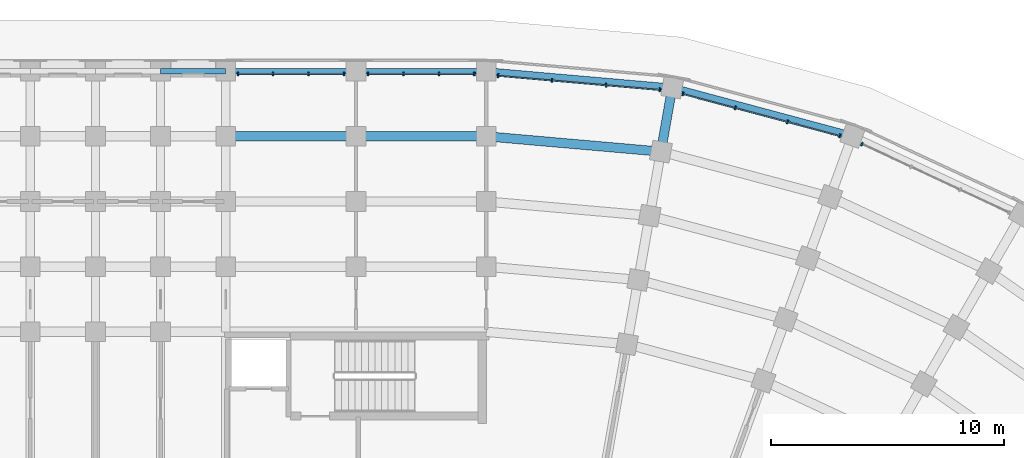
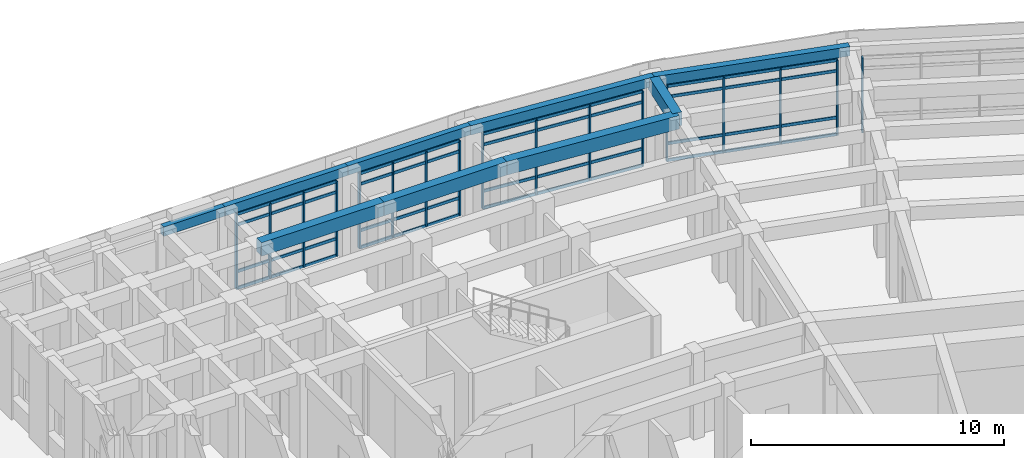
# One storey, part 56 of 135: 33 members, 9 beams, 5 elements without a shape of their own.
"""IFC4 building model written with IfcOpenShell, lengths in metres."""

from ifc_helpers import new_model, si_unit, direction, frame, origin, origin_2d, place, context, subcontext, project, spatial, rectangle, extrude, material, material_profile, profile_set, type_object, element, aggregate, save


model = new_model("IFC4")

# Units and contexts
model_context = context("Model", 3, precision=1e-05, world=origin(), true_north=direction((0.0, 1.0)))
body_context = subcontext(model_context, "Body", "Model", "MODEL_VIEW")
ifc_project = project(units=[si_unit("LENGTHUNIT", "METRE"), si_unit("AREAUNIT", "SQUARE_METRE"), si_unit("VOLUMEUNIT", "CUBIC_METRE"), si_unit("PLANEANGLEUNIT", "RADIAN"), si_unit("MASSUNIT", "GRAM", prefix="KILO")], contexts=[model_context])

# Site, building, storey
site_placement = place(None, origin())
site = spatial("IfcSite", under=ifc_project, at=site_placement, CompositionType="ELEMENT")
building_placement = place(site_placement, origin())
building = spatial("IfcBuilding", under=site, at=building_placement, Name="Kiranvali Square Residences", CompositionType="ELEMENT")
storey_placement = place(building_placement, origin())
storey = spatial("IfcBuildingStorey", under=building, at=storey_placement, Name="L00", CompositionType="ELEMENT", Elevation=0.0)

# Beams
ifc_material_1 = material(Name="Concrete M45 (45 MPa)", Category="concrete")
ifc_material_profile_1 = material_profile(ifc_material_1, rectangle(XDim=0.39990234375, YDim=0.64990234375, at=origin_2d()), Name="RC 400x650")
ifc_profile_set_1 = profile_set([ifc_material_profile_1], Name="Concrete M45 (45 MPa)")
beam_type_1 = type_object("IfcBeamType", Name="BM-M45-400x650", PredefinedType="BEAM", material=ifc_profile_set_1)
beam_1_placement = place(storey_placement, frame((119.800048828125, 131.0, 3.824951171875), z_axis=(0.996195195417, -0.087150058103, 0.0), x_axis=(0.087150058103, 0.996195195417, 0.0)))
element("IfcBeam", 1, at=beam_1_placement, inside=storey, type_object=beam_type_1, Name="L00 beam BM-B-L00-C00-R6", PredefinedType="BEAM", context=body_context, shape_type="SweptSolid", body=[
    extrude(rectangle(XDim=0.39990234375, YDim=0.64990234375, at=origin_2d()), origin(), (0.0, 0.0, 1.0), 7.530029296875),
])
beam_2_placement = place(storey_placement, frame((127.301513671875, 130.34375, 3.824951171875), z_axis=(0.173695795656, 0.984799355489, 0.0), x_axis=(-0.984799355489, 0.173695795656, 0.0)))
element("IfcBeam", 2, at=beam_2_placement, inside=storey, type_object=beam_type_1, Name="L00 beam BM-B-L00-RAD01-67", PredefinedType="BEAM", context=body_context, shape_type="SweptSolid", body=[
    extrude(rectangle(XDim=0.39990234375, YDim=0.64990234375, at=origin_2d()), origin(), (0.0, 0.0, 1.0), 2.7998046875),
])
beam_3_placement = place(storey_placement, frame((119.800048828125, 131.0, 3.824951171875), z_axis=(-1.0, 0.0, 0.0), x_axis=(0.0, -1.0, 0.0)))
element("IfcBeam", 3, at=beam_3_placement, inside=storey, type_object=beam_type_1, Name="L00 beam BM-B-L00-A1U0-R6", PredefinedType="BEAM", context=body_context, shape_type="SweptSolid", body=[
    extrude(rectangle(XDim=0.39990234375, YDim=0.64990234375, at=origin_2d()), origin(), (0.0, 0.0, 1.0), 5.60009765625),
])
beam_4_placement = place(storey_placement, frame((114.199951171875, 131.0, 3.824951171875), z_axis=(-1.0, 0.0, 0.0), x_axis=(0.0, -1.0, 0.0)))
element("IfcBeam", 4, at=beam_4_placement, inside=storey, type_object=beam_type_1, Name="L00 beam BM-B-L00-A1U1-R6", PredefinedType="BEAM", context=body_context, shape_type="SweptSolid", body=[
    extrude(rectangle(XDim=0.39990234375, YDim=0.64990234375, at=origin_2d()), origin(), (0.0, 0.0, 1.0), 5.599853515625),
])

# Curtain wall, members
ifc_material_2 = material(Name="Anodised bronze aluminium framing", Category="aluminium")
curtain_wall_type = type_object("IfcCurtainWallType", Name="CW-RET-SHOP", PredefinedType="USERDEFINED", material=ifc_material_2)
curtain_wall_1_placement = place(storey_placement, origin())
curtain_wall_1 = element("IfcCurtainWall", 5, at=curtain_wall_1_placement, inside=storey, type_object=curtain_wall_type, Name="Block B L00 rounded-corner arcade curtain wall 1", ObjectType="CURTAIN WALL", PredefinedType="USERDEFINED")
ifc_material_profile_2 = material_profile(ifc_material_2, rectangle(XDim=0.06494140625, YDim=0.159912109375, at=origin_2d()), Name="ALU 65x160")
ifc_profile_set_2 = profile_set([ifc_material_profile_2], Name="Anodised bronze aluminium framing")
member_type_1 = type_object("IfcMemberType", Name="CW-MUL-160", PredefinedType="MULLION", material=ifc_profile_set_2)
member_1_placement = place(storey_placement, frame((120.304931640625, 133.605224609375, 0.02001953125), z_axis=(0.0, 0.0, 1.0), x_axis=(0.996194698092, -0.087155742748, 0.0)))
member_1 = element("IfcMember", 6, at=member_1_placement, type_object=member_type_1, Name="CW-B-L00-CRV-00 vertical mullion 1", PredefinedType="MULLION", context=body_context, shape_type="SweptSolid", body=[
    extrude(rectangle(XDim=0.06494140625, YDim=0.159912109375, at=origin_2d()), origin(), (0.0, 0.0, 1.0), 3.60986328125),
])
member_2_placement = place(storey_placement, frame((122.622314453125, 133.402587890625, 0.02001953125), z_axis=(0.0, 0.0, 1.0), x_axis=(0.996194698092, -0.087155742748, 0.0)))
member_2 = element("IfcMember", 7, at=member_2_placement, type_object=member_type_1, Name="CW-B-L00-CRV-00 vertical mullion 2", PredefinedType="MULLION", context=body_context, shape_type="SweptSolid", body=[
    extrude(rectangle(XDim=0.06494140625, YDim=0.159912109375, at=origin_2d()), origin(), (0.0, 0.0, 1.0), 3.60986328125),
])
member_3_placement = place(storey_placement, frame((124.939453125, 133.19970703125, 0.02001953125), z_axis=(0.0, 0.0, 1.0), x_axis=(0.996194698092, -0.087155742748, 0.0)))
member_3 = element("IfcMember", 8, at=member_3_placement, type_object=member_type_1, Name="CW-B-L00-CRV-00 vertical mullion 3", PredefinedType="MULLION", context=body_context, shape_type="SweptSolid", body=[
    extrude(rectangle(XDim=0.06494140625, YDim=0.159912109375, at=origin_2d()), origin(), (0.0, 0.0, 1.0), 3.60986328125),
])
member_4_placement = place(storey_placement, frame((127.2568359375, 132.9970703125, 0.02001953125), z_axis=(0.0, 0.0, 1.0), x_axis=(0.996194698092, -0.087155742748, 0.0)))
member_4 = element("IfcMember", 9, at=member_4_placement, type_object=member_type_1, Name="CW-B-L00-CRV-00 vertical mullion 4", PredefinedType="MULLION", context=body_context, shape_type="SweptSolid", body=[
    extrude(rectangle(XDim=0.06494140625, YDim=0.159912109375, at=origin_2d()), origin(), (0.0, 0.0, 1.0), 3.60986328125),
])

curtain_wall_2_placement = place(storey_placement, origin())
curtain_wall_2 = element("IfcCurtainWall", 10, at=curtain_wall_2_placement, inside=storey, type_object=curtain_wall_type, Name="Block B L00 rounded-corner arcade curtain wall 2", ObjectType="CURTAIN WALL", PredefinedType="USERDEFINED")
member_5_placement = place(storey_placement, frame((128.251220703125, 132.82177734375, 0.02001953125), z_axis=(0.0, 0.0, 1.0), x_axis=(0.965925826289, -0.258819045103, 0.0)))
member_5 = element("IfcMember", 11, at=member_5_placement, type_object=member_type_1, Name="CW-B-L00-CRV-01 vertical mullion 1", PredefinedType="MULLION", context=body_context, shape_type="SweptSolid", body=[
    extrude(rectangle(XDim=0.06494140625, YDim=0.159912109375, at=origin_2d()), origin(), (0.0, 0.0, 1.0), 3.60986328125),
])
member_6_placement = place(storey_placement, frame((130.498046875, 132.2197265625, 0.02001953125), z_axis=(0.0, 0.0, 1.0), x_axis=(0.965925826289, -0.258819045103, 0.0)))
member_6 = element("IfcMember", 12, at=member_6_placement, type_object=member_type_1, Name="CW-B-L00-CRV-01 vertical mullion 2", PredefinedType="MULLION", context=body_context, shape_type="SweptSolid", body=[
    extrude(rectangle(XDim=0.06494140625, YDim=0.159912109375, at=origin_2d()), origin(), (0.0, 0.0, 1.0), 3.60986328125),
])
member_7_placement = place(storey_placement, frame((132.744873046875, 131.61767578125, 0.02001953125), z_axis=(0.0, 0.0, 1.0), x_axis=(0.965925826289, -0.258819045103, 0.0)))
member_7 = element("IfcMember", 13, at=member_7_placement, type_object=member_type_1, Name="CW-B-L00-CRV-01 vertical mullion 3", PredefinedType="MULLION", context=body_context, shape_type="SweptSolid", body=[
    extrude(rectangle(XDim=0.06494140625, YDim=0.159912109375, at=origin_2d()), origin(), (0.0, 0.0, 1.0), 3.60986328125),
])
member_8_placement = place(storey_placement, frame((134.99169921875, 131.015625, 0.02001953125), z_axis=(0.0, 0.0, 1.0), x_axis=(0.965925826289, -0.258819045103, 0.0)))
member_8 = element("IfcMember", 14, at=member_8_placement, type_object=member_type_1, Name="CW-B-L00-CRV-01 vertical mullion 4", PredefinedType="MULLION", context=body_context, shape_type="SweptSolid", body=[
    extrude(rectangle(XDim=0.06494140625, YDim=0.159912109375, at=origin_2d()), origin(), (0.0, 0.0, 1.0), 3.60986328125),
])

# Curtain wall, member
curtain_wall_3_placement = place(storey_placement, origin())
curtain_wall_3 = element("IfcCurtainWall", 15, at=curtain_wall_3_placement, inside=storey, type_object=curtain_wall_type, Name="Block B L00 rounded-corner arcade curtain wall 3", ObjectType="CURTAIN WALL", PredefinedType="USERDEFINED")
member_9_placement = place(storey_placement, frame((135.94091796875, 130.670166015625, 0.02001953125), z_axis=(0.0, 0.0, 1.0), x_axis=(0.906307787037, -0.422618261741, 0.0)))
member_9 = element("IfcMember", 16, at=member_9_placement, type_object=member_type_1, Name="CW-B-L00-CRV-02 vertical mullion 1", PredefinedType="MULLION", context=body_context, shape_type="SweptSolid", body=[
    extrude(rectangle(XDim=0.06494140625, YDim=0.159912109375, at=origin_2d()), origin(), (0.0, 0.0, 1.0), 3.60986328125),
])
aggregate(curtain_wall_3, [member_9])

# Curtain wall, members
curtain_wall_4_placement = place(storey_placement, origin())
curtain_wall_4 = element("IfcCurtainWall", 17, at=curtain_wall_4_placement, inside=storey, type_object=curtain_wall_type, Name="L00 curtain wall CW-B-L00-A1-0", ObjectType="CURTAIN WALL", PredefinedType="USERDEFINED")
member_10_placement = place(storey_placement, frame((119.280029296875, 133.679931640625, 0.02001953125), z_axis=(0.0, 0.0, 1.0), x_axis=(-1.0, 0.0, 0.0)))
member_10 = element("IfcMember", 18, at=member_10_placement, type_object=member_type_1, Name="CW-B-L00-A1-0 vertical mullion 1", PredefinedType="MULLION", context=body_context, shape_type="SweptSolid", body=[
    extrude(rectangle(XDim=0.06494140625, YDim=0.159912109375, at=origin_2d()), origin(), (0.0, 0.0, 1.0), 3.60986328125),
])
member_11_placement = place(storey_placement, frame((117.760009765625, 133.679931640625, 0.02001953125), z_axis=(0.0, 0.0, 1.0), x_axis=(-1.0, 0.0, 0.0)))
member_11 = element("IfcMember", 19, at=member_11_placement, type_object=member_type_1, Name="CW-B-L00-A1-0 vertical mullion 2", PredefinedType="MULLION", context=body_context, shape_type="SweptSolid", body=[
    extrude(rectangle(XDim=0.06494140625, YDim=0.159912109375, at=origin_2d()), origin(), (0.0, 0.0, 1.0), 3.60986328125),
])
member_12_placement = place(storey_placement, frame((116.239990234375, 133.679931640625, 0.02001953125), z_axis=(0.0, 0.0, 1.0), x_axis=(-1.0, 0.0, 0.0)))
member_12 = element("IfcMember", 20, at=member_12_placement, type_object=member_type_1, Name="CW-B-L00-A1-0 vertical mullion 3", PredefinedType="MULLION", context=body_context, shape_type="SweptSolid", body=[
    extrude(rectangle(XDim=0.06494140625, YDim=0.159912109375, at=origin_2d()), origin(), (0.0, 0.0, 1.0), 3.60986328125),
])
member_13_placement = place(storey_placement, frame((114.719970703125, 133.679931640625, 0.02001953125), z_axis=(0.0, 0.0, 1.0), x_axis=(-1.0, 0.0, 0.0)))
member_13 = element("IfcMember", 21, at=member_13_placement, type_object=member_type_1, Name="CW-B-L00-A1-0 vertical mullion 4", PredefinedType="MULLION", context=body_context, shape_type="SweptSolid", body=[
    extrude(rectangle(XDim=0.06494140625, YDim=0.159912109375, at=origin_2d()), origin(), (0.0, 0.0, 1.0), 3.60986328125),
])

curtain_wall_5_placement = place(storey_placement, origin())
curtain_wall_5 = element("IfcCurtainWall", 22, at=curtain_wall_5_placement, inside=storey, type_object=curtain_wall_type, Name="L00 curtain wall CW-B-L00-A1-1", ObjectType="CURTAIN WALL", PredefinedType="USERDEFINED")
member_14_placement = place(storey_placement, frame((113.679931640625, 133.679931640625, 0.02001953125), z_axis=(0.0, 0.0, 1.0), x_axis=(-1.0, 0.0, 0.0)))
member_14 = element("IfcMember", 23, at=member_14_placement, type_object=member_type_1, Name="CW-B-L00-A1-1 vertical mullion 1", PredefinedType="MULLION", context=body_context, shape_type="SweptSolid", body=[
    extrude(rectangle(XDim=0.06494140625, YDim=0.159912109375, at=origin_2d()), origin(), (0.0, 0.0, 1.0), 3.60986328125),
])
member_15_placement = place(storey_placement, frame((112.159912109375, 133.679931640625, 0.02001953125), z_axis=(0.0, 0.0, 1.0), x_axis=(-1.0, 0.0, 0.0)))
member_15 = element("IfcMember", 24, at=member_15_placement, type_object=member_type_1, Name="CW-B-L00-A1-1 vertical mullion 2", PredefinedType="MULLION", context=body_context, shape_type="SweptSolid", body=[
    extrude(rectangle(XDim=0.06494140625, YDim=0.159912109375, at=origin_2d()), origin(), (0.0, 0.0, 1.0), 3.60986328125),
])
member_16_placement = place(storey_placement, frame((110.639892578125, 133.679931640625, 0.02001953125), z_axis=(0.0, 0.0, 1.0), x_axis=(-1.0, 0.0, 0.0)))
member_16 = element("IfcMember", 25, at=member_16_placement, type_object=member_type_1, Name="CW-B-L00-A1-1 vertical mullion 3", PredefinedType="MULLION", context=body_context, shape_type="SweptSolid", body=[
    extrude(rectangle(XDim=0.06494140625, YDim=0.159912109375, at=origin_2d()), origin(), (0.0, 0.0, 1.0), 3.60986328125),
])
member_17_placement = place(storey_placement, frame((109.1201171875, 133.679931640625, 0.02001953125), z_axis=(0.0, 0.0, 1.0), x_axis=(-1.0, 0.0, 0.0)))
member_17 = element("IfcMember", 26, at=member_17_placement, type_object=member_type_1, Name="CW-B-L00-A1-1 vertical mullion 4", PredefinedType="MULLION", context=body_context, shape_type="SweptSolid", body=[
    extrude(rectangle(XDim=0.06494140625, YDim=0.159912109375, at=origin_2d()), origin(), (0.0, 0.0, 1.0), 3.60986328125),
])

# Member
ifc_material_profile_3 = material_profile(ifc_material_2, rectangle(XDim=0.06494140625, YDim=0.139892578125, at=origin_2d()), Name="ALU 65x140")
ifc_profile_set_3 = profile_set([ifc_material_profile_3], Name="Anodised bronze aluminium framing")
member_type_2 = type_object("IfcMemberType", Name="CW-TRN-140", PredefinedType="MULLION", material=ifc_profile_set_3)
member_18_placement = place(storey_placement, frame((120.31494140625, 133.6044921875, 0.0400390625), z_axis=(0.996191851174, -0.087188277046, 0.0), x_axis=(0.087188277046, 0.996191851174, 0.0)))
member_18 = element("IfcMember", 27, at=member_18_placement, type_object=member_type_2, Name="CW-B-L00-CRV-00 horizontal transom 1", PredefinedType="MULLION", context=body_context, shape_type="SweptSolid", body=[
    extrude(rectangle(XDim=0.06494140625, YDim=0.139892578125, at=origin_2d()), origin(), (0.0, 0.0, 1.0), 6.95849609375),
])

member_19_placement = place(storey_placement, frame((120.31494140625, 133.6044921875, 0.85009765625), z_axis=(0.996191851174, -0.087188277046, 0.0), x_axis=(0.087188277046, 0.996191851174, 0.0)))
member_19 = element("IfcMember", 28, at=member_19_placement, type_object=member_type_2, Name="CW-B-L00-CRV-00 horizontal transom 2", PredefinedType="MULLION", context=body_context, shape_type="SweptSolid", body=[
    extrude(rectangle(XDim=0.06494140625, YDim=0.139892578125, at=origin_2d()), origin(), (0.0, 0.0, 1.0), 6.95849609375),
])

member_20_placement = place(storey_placement, frame((120.31494140625, 133.6044921875, 3.10009765625), z_axis=(0.996191851174, -0.087188277046, 0.0), x_axis=(0.087188277046, 0.996191851174, 0.0)))
member_20 = element("IfcMember", 29, at=member_20_placement, type_object=member_type_2, Name="CW-B-L00-CRV-00 horizontal transom 3", PredefinedType="MULLION", context=body_context, shape_type="SweptSolid", body=[
    extrude(rectangle(XDim=0.06494140625, YDim=0.139892578125, at=origin_2d()), origin(), (0.0, 0.0, 1.0), 6.95849609375),
])

member_21_placement = place(storey_placement, frame((120.31494140625, 133.6044921875, 3.610107421875), z_axis=(0.996191851174, -0.087188277046, 0.0), x_axis=(0.087188277046, 0.996191851174, 0.0)))
member_21 = element("IfcMember", 30, at=member_21_placement, type_object=member_type_2, Name="CW-B-L00-CRV-00 horizontal transom 4", PredefinedType="MULLION", context=body_context, shape_type="SweptSolid", body=[
    extrude(rectangle(XDim=0.06494140625, YDim=0.139892578125, at=origin_2d()), origin(), (0.0, 0.0, 1.0), 6.95849609375),
])

aggregate(curtain_wall_1, [member_1, member_2, member_3, member_4, member_18, member_19, member_20, member_21])

member_22_placement = place(storey_placement, frame((128.260986328125, 132.819091796875, 0.0400390625), z_axis=(0.96592267958, -0.258830788495, 0.0), x_axis=(0.258830788495, 0.96592267958, 0.0)))
member_22 = element("IfcMember", 31, at=member_22_placement, type_object=member_type_2, Name="CW-B-L00-CRV-01 horizontal transom 1", PredefinedType="MULLION", context=body_context, shape_type="SweptSolid", body=[
    extrude(rectangle(XDim=0.06494140625, YDim=0.139892578125, at=origin_2d()), origin(), (0.0, 0.0, 1.0), 6.958251953125),
])

member_23_placement = place(storey_placement, frame((128.260986328125, 132.819091796875, 0.85009765625), z_axis=(0.96592267958, -0.258830788495, 0.0), x_axis=(0.258830788495, 0.96592267958, 0.0)))
member_23 = element("IfcMember", 32, at=member_23_placement, type_object=member_type_2, Name="CW-B-L00-CRV-01 horizontal transom 2", PredefinedType="MULLION", context=body_context, shape_type="SweptSolid", body=[
    extrude(rectangle(XDim=0.06494140625, YDim=0.139892578125, at=origin_2d()), origin(), (0.0, 0.0, 1.0), 6.958251953125),
])

member_24_placement = place(storey_placement, frame((128.260986328125, 132.819091796875, 3.10009765625), z_axis=(0.96592267958, -0.258830788495, 0.0), x_axis=(0.258830788495, 0.96592267958, 0.0)))
member_24 = element("IfcMember", 33, at=member_24_placement, type_object=member_type_2, Name="CW-B-L00-CRV-01 horizontal transom 3", PredefinedType="MULLION", context=body_context, shape_type="SweptSolid", body=[
    extrude(rectangle(XDim=0.06494140625, YDim=0.139892578125, at=origin_2d()), origin(), (0.0, 0.0, 1.0), 6.958251953125),
])

member_25_placement = place(storey_placement, frame((128.260986328125, 132.819091796875, 3.610107421875), z_axis=(0.96592267958, -0.258830788495, 0.0), x_axis=(0.258830788495, 0.96592267958, 0.0)))
member_25 = element("IfcMember", 34, at=member_25_placement, type_object=member_type_2, Name="CW-B-L00-CRV-01 horizontal transom 4", PredefinedType="MULLION", context=body_context, shape_type="SweptSolid", body=[
    extrude(rectangle(XDim=0.06494140625, YDim=0.139892578125, at=origin_2d()), origin(), (0.0, 0.0, 1.0), 6.958251953125),
])

aggregate(curtain_wall_2, [member_5, member_6, member_7, member_8, member_22, member_23, member_24, member_25])

member_26_placement = place(storey_placement, frame((119.27001953125, 133.679931640625, 0.0400390625), z_axis=(-1.0, 0.0, 0.0), x_axis=(0.0, -1.0, 0.0)))
member_26 = element("IfcMember", 35, at=member_26_placement, type_object=member_type_2, Name="CW-B-L00-A1-0 horizontal transom 1", PredefinedType="MULLION", context=body_context, shape_type="SweptSolid", body=[
    extrude(rectangle(XDim=0.06494140625, YDim=0.139892578125, at=origin_2d()), origin(), (0.0, 0.0, 1.0), 4.5400390625),
])

member_27_placement = place(storey_placement, frame((119.27001953125, 133.679931640625, 0.85009765625), z_axis=(-1.0, 0.0, 0.0), x_axis=(0.0, -1.0, 0.0)))
member_27 = element("IfcMember", 36, at=member_27_placement, type_object=member_type_2, Name="CW-B-L00-A1-0 horizontal transom 2", PredefinedType="MULLION", context=body_context, shape_type="SweptSolid", body=[
    extrude(rectangle(XDim=0.06494140625, YDim=0.139892578125, at=origin_2d()), origin(), (0.0, 0.0, 1.0), 4.5400390625),
])

member_28_placement = place(storey_placement, frame((119.27001953125, 133.679931640625, 3.10009765625), z_axis=(-1.0, 0.0, 0.0), x_axis=(0.0, -1.0, 0.0)))
member_28 = element("IfcMember", 37, at=member_28_placement, type_object=member_type_2, Name="CW-B-L00-A1-0 horizontal transom 3", PredefinedType="MULLION", context=body_context, shape_type="SweptSolid", body=[
    extrude(rectangle(XDim=0.06494140625, YDim=0.139892578125, at=origin_2d()), origin(), (0.0, 0.0, 1.0), 4.5400390625),
])

member_29_placement = place(storey_placement, frame((119.27001953125, 133.679931640625, 3.610107421875), z_axis=(-1.0, 0.0, 0.0), x_axis=(0.0, -1.0, 0.0)))
member_29 = element("IfcMember", 38, at=member_29_placement, type_object=member_type_2, Name="CW-B-L00-A1-0 horizontal transom 4", PredefinedType="MULLION", context=body_context, shape_type="SweptSolid", body=[
    extrude(rectangle(XDim=0.06494140625, YDim=0.139892578125, at=origin_2d()), origin(), (0.0, 0.0, 1.0), 4.5400390625),
])

aggregate(curtain_wall_4, [member_10, member_11, member_12, member_13, member_26, member_27, member_28, member_29])

member_30_placement = place(storey_placement, frame((113.669921875, 133.679931640625, 0.0400390625), z_axis=(-1.0, 0.0, 0.0), x_axis=(0.0, -1.0, 0.0)))
member_30 = element("IfcMember", 39, at=member_30_placement, type_object=member_type_2, Name="CW-B-L00-A1-1 horizontal transom 1", PredefinedType="MULLION", context=body_context, shape_type="SweptSolid", body=[
    extrude(rectangle(XDim=0.06494140625, YDim=0.139892578125, at=origin_2d()), origin(), (0.0, 0.0, 1.0), 4.5400390625),
])

member_31_placement = place(storey_placement, frame((113.669921875, 133.679931640625, 0.85009765625), z_axis=(-1.0, 0.0, 0.0), x_axis=(0.0, -1.0, 0.0)))
member_31 = element("IfcMember", 40, at=member_31_placement, type_object=member_type_2, Name="CW-B-L00-A1-1 horizontal transom 2", PredefinedType="MULLION", context=body_context, shape_type="SweptSolid", body=[
    extrude(rectangle(XDim=0.06494140625, YDim=0.139892578125, at=origin_2d()), origin(), (0.0, 0.0, 1.0), 4.5400390625),
])

member_32_placement = place(storey_placement, frame((113.669921875, 133.679931640625, 3.10009765625), z_axis=(-1.0, 0.0, 0.0), x_axis=(0.0, -1.0, 0.0)))
member_32 = element("IfcMember", 41, at=member_32_placement, type_object=member_type_2, Name="CW-B-L00-A1-1 horizontal transom 3", PredefinedType="MULLION", context=body_context, shape_type="SweptSolid", body=[
    extrude(rectangle(XDim=0.06494140625, YDim=0.139892578125, at=origin_2d()), origin(), (0.0, 0.0, 1.0), 4.5400390625),
])

member_33_placement = place(storey_placement, frame((113.669921875, 133.679931640625, 3.610107421875), z_axis=(-1.0, 0.0, 0.0), x_axis=(0.0, -1.0, 0.0)))
member_33 = element("IfcMember", 42, at=member_33_placement, type_object=member_type_2, Name="CW-B-L00-A1-1 horizontal transom 4", PredefinedType="MULLION", context=body_context, shape_type="SweptSolid", body=[
    extrude(rectangle(XDim=0.06494140625, YDim=0.139892578125, at=origin_2d()), origin(), (0.0, 0.0, 1.0), 4.5400390625),
])

aggregate(curtain_wall_5, [member_14, member_15, member_16, member_17, member_30, member_31, member_32, member_33])

# Beams
ifc_material_3 = material(Name="Concrete M40 (40 MPa)", Category="concrete")
ifc_material_profile_4 = material_profile(ifc_material_3, rectangle(XDim=0.25, YDim=0.449951171875, at=origin_2d()), Name="RC 250x450")
ifc_profile_set_4 = profile_set([ifc_material_profile_4], Name="Concrete M40 (40 MPa)")
beam_type_2 = type_object("IfcBeamType", Name="SPN-M40-250x450", PredefinedType="SPANDREL", material=ifc_profile_set_4)
beam_5_placement = place(storey_placement, frame((119.800048828125, 133.800048828125, 3.925048828125), z_axis=(-1.0, 0.0, 0.0), x_axis=(0.0, -1.0, 0.0)))
element("IfcBeam", 43, at=beam_5_placement, inside=storey, type_object=beam_type_2, Name="L00 beam BM-B-L00-A1U0-R7", PredefinedType="SPANDREL", context=body_context, shape_type="SweptSolid", body=[
    extrude(rectangle(XDim=0.25, YDim=0.449951171875, at=origin_2d()), origin(), (0.0, 0.0, 1.0), 5.60009765625),
])
beam_6_placement = place(storey_placement, frame((114.199951171875, 133.800048828125, 3.925048828125), z_axis=(-1.0, 0.0, 0.0), x_axis=(0.0, -1.0, 0.0)))
element("IfcBeam", 44, at=beam_6_placement, inside=storey, type_object=beam_type_2, Name="L00 beam BM-B-L00-A1U1-R7", PredefinedType="SPANDREL", context=body_context, shape_type="SweptSolid", body=[
    extrude(rectangle(XDim=0.25, YDim=0.449951171875, at=origin_2d()), origin(), (0.0, 0.0, 1.0), 5.599853515625),
])
beam_7_placement = place(storey_placement, frame((108.60009765625, 133.800048828125, 3.925048828125), z_axis=(-1.0, 0.0, 0.0), x_axis=(0.0, -1.0, 0.0)))
element("IfcBeam", 45, at=beam_7_placement, inside=storey, type_object=beam_type_2, Name="L00 beam BM-B-L00-A1U2-R7", PredefinedType="SPANDREL", context=body_context, shape_type="SweptSolid", body=[
    extrude(rectangle(XDim=0.25, YDim=0.449951171875, at=origin_2d()), origin(), (0.0, 0.0, 1.0), 2.800048828125),
])
ifc_material_profile_5 = material_profile(ifc_material_3, rectangle(XDim=0.300048828125, YDim=0.449951171875, at=origin_2d()), Name="RC 300x450")
ifc_profile_set_5 = profile_set([ifc_material_profile_5], Name="Concrete M40 (40 MPa)")
beam_type_3 = type_object("IfcBeamType", Name="SPN-M40-300x450", PredefinedType="SPANDREL", material=ifc_profile_set_5)
for number, where, z_axis, x_axis, name in (
    (46, (119.800048828125, 133.800048828125, 3.925048828125), (0.996193254792, -0.087172238171, 0.0), (0.087172238171, 0.996193254792, 0.0), "L00 beam BM-B-L00-C00-R7"),
    (47, (127.787841796875, 133.10107421875, 3.925048828125), (0.96592902462, -0.258807108475, 0.0), (0.258807108475, 0.96592902462, 0.0), "L00 beam BM-B-L00-C01-R7"),
):
    element("IfcBeam", number, at=place(storey_placement, frame(where, z_axis=z_axis, x_axis=x_axis)), inside=storey, type_object=beam_type_3, Name=name, PredefinedType="SPANDREL", context=body_context, shape_type="SweptSolid", body=[
        extrude(rectangle(XDim=0.300048828125, YDim=0.449951171875, at=origin_2d()), origin(), (0.0, 0.0, 1.0), 8.018310546875),
    ])

save(model, "model.ifc")
